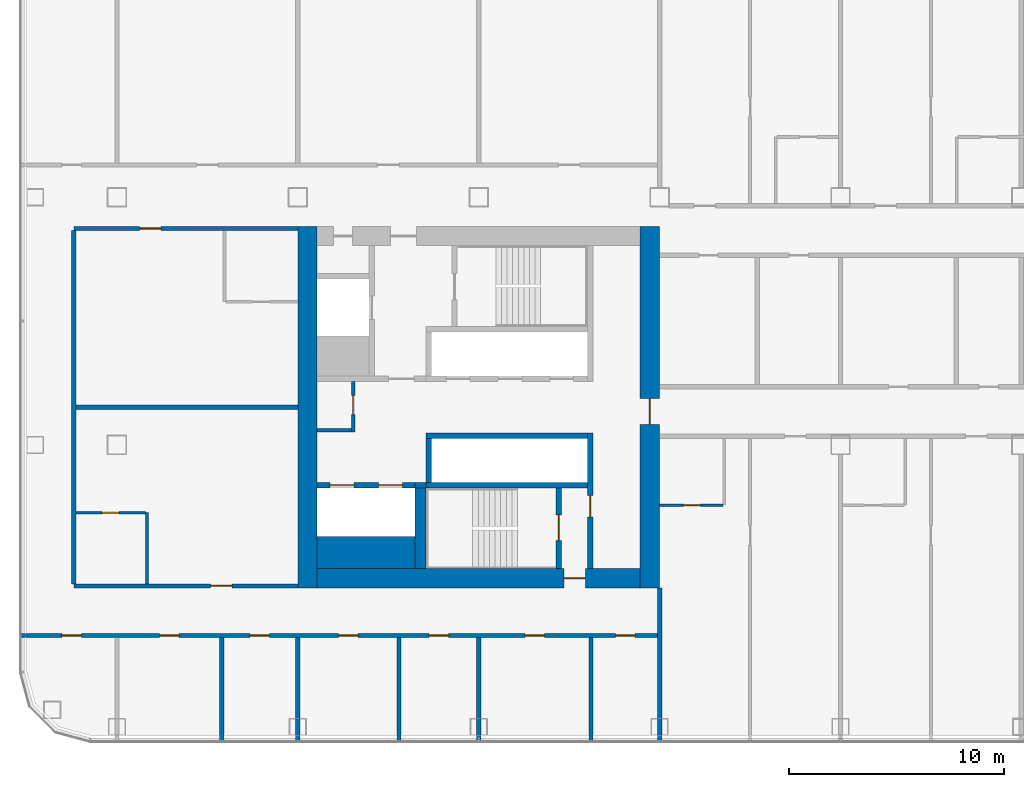
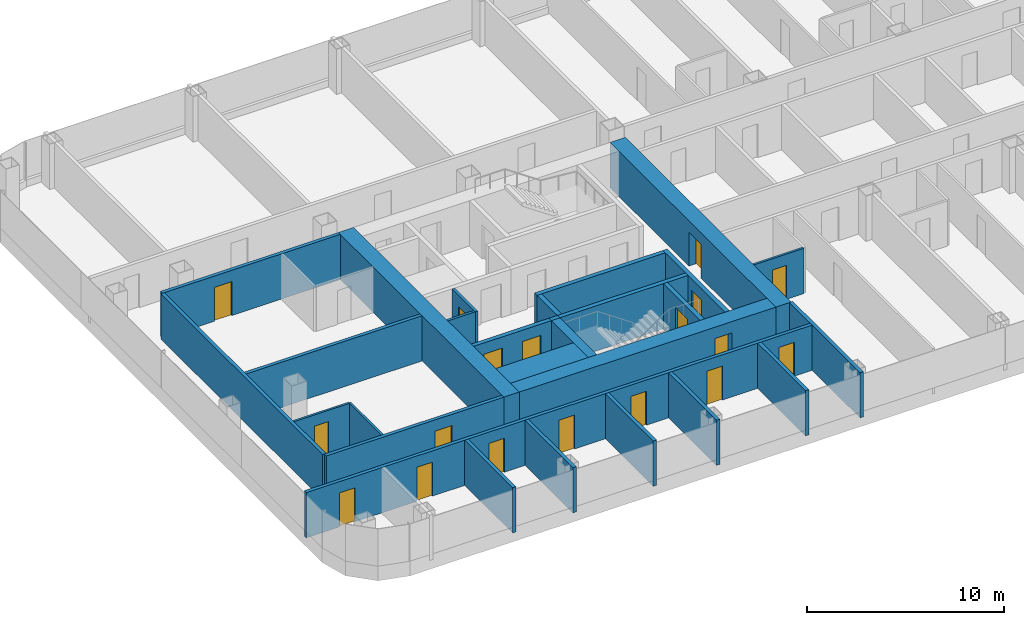
# One storey, part 15 of 29: 28 walls, 18 doors, 18 openings.
"""IFC4 building model written with IfcOpenShell, lengths in metres."""

from ifc_helpers import new_model, si_unit, direction, frame, frame_2d, origin, place, context, subcontext, project, spatial, rectangle, extrude, material, layer, layer_set, type_object, element, fill, save


model = new_model("IFC4")

# Units and contexts
model_context = context("Model", 3, precision=1e-05, world=origin(), true_north=direction((0.0, 1.0)))
body_context = subcontext(model_context, "Body", "Model", "MODEL_VIEW")
ifc_project = project(units=[si_unit("LENGTHUNIT", "METRE"), si_unit("AREAUNIT", "SQUARE_METRE"), si_unit("VOLUMEUNIT", "CUBIC_METRE"), si_unit("PLANEANGLEUNIT", "RADIAN"), si_unit("MASSUNIT", "GRAM", prefix="KILO")], contexts=[model_context])

# Site, building, storey
site_placement = place(None, origin())
site = spatial("IfcSite", under=ifc_project, at=site_placement, CompositionType="ELEMENT")
building_placement = place(site_placement, origin())
building = spatial("IfcBuilding", under=site, at=building_placement, Name="Hakoniwa Tower and Hamabe Station Hall", CompositionType="ELEMENT")
storey_placement = place(building_placement, frame((0.0, 0.0, 88.199951171875)))
storey = spatial("IfcBuildingStorey", under=building, at=storey_placement, Name="L24", CompositionType="ELEMENT", Elevation=88.199951171875)

# Wall, opening, door
ifc_material_1 = material(Name="Gypsum board partition", Category="gypsum")
ifc_layer_1 = layer(ifc_material_1, 0.125)
ifc_layer_set_1 = layer_set([ifc_layer_1], Name="Bathroom Partition 125")
wall_type_1 = type_object("IfcWallType", Name="Bathroom Partition 125", PredefinedType="PARTITIONING", material=ifc_layer_set_1)
wall_1_placement = place(storey_placement, frame((-43.89990234375, -4.89990234375, 0.0), z_axis=(0.0, 0.0, 1.0), x_axis=(1.0, 0.0, 0.0)))
wall_1 = element("IfcWall", 1, at=wall_1_placement, inside=storey, type_object=wall_type_1, Name="GW-L24-006", PredefinedType="PARTITIONING", context=body_context, shape_type="SweptSolid", body=[
    extrude(rectangle(XDim=3.2373046875, YDim=0.125, at=frame_2d((1.61865234375, 0.0))), origin(), (0.0, 0.0, 1.0), 2.800048828125),
])
opening_1_placement = place(wall_1_placement, frame((1.199951171875, 0.0, 0.0)))
opening_1 = element("IfcOpeningElement", 2, at=opening_1_placement, cuts=wall_1, Name="Opening GD-G2E0-18", PredefinedType="OPENING", context=body_context, shape_type="SweptSolid", body=[
    extrude(rectangle(XDim=0.800048828125, YDim=2.10009765625, at=frame_2d((0.39990234375, 1.050048828125))), frame((0.0, 0.072509765625, 0.0), z_axis=(0.0, -1.0, 0.0), x_axis=(1.0, 0.0, 0.0)), (0.0, 0.0, 1.0), 0.14501953125),
])
ifc_material_2 = material(Name="Timber door leaf", Category="wood")
door_type_1 = type_object("IfcDoorType", Name="Bathroom Door 800", OperationType="SINGLE_SWING_LEFT", PredefinedType="DOOR", material=ifc_material_2)
door_1_placement = place(opening_1_placement, origin())
door_1 = element("IfcDoor", 3, at=door_1_placement, inside=storey, type_object=door_type_1, Name="Door GD-G2E0-18", OperationType="SINGLE_SWING_LEFT", OverallHeight=2.10009765625, OverallWidth=0.800048828125, PredefinedType="DOOR", context=body_context, shape_type="SweptSolid", body=[
    extrude(rectangle(XDim=0.800048828125, YDim=2.10009765625, at=frame_2d((0.39990234375, 1.050048828125))), frame((0.0, 0.02490234375, 0.0), z_axis=(0.0, -1.0, 0.0), x_axis=(1.0, 0.0, 0.0)), (0.0, 0.0, 1.0), 0.050048828125),
])
fill(opening_1, door_1)

wall_2_placement = place(storey_placement, frame((-16.81005859375, -4.550048828125, 0.0), z_axis=(0.0, 0.0, 1.0), x_axis=(1.0, 0.0, 0.0)))
wall_2 = element("IfcWall", 4, at=wall_2_placement, inside=storey, type_object=wall_type_1, Name="GW-L24-007", PredefinedType="PARTITIONING", context=body_context, shape_type="SweptSolid", body=[
    extrude(rectangle(XDim=2.947509765625, YDim=0.125, at=frame_2d((1.4736328125, 0.0))), origin(), (0.0, 0.0, 1.0), 2.800048828125),
])
opening_2_placement = place(wall_2_placement, frame((1.110107421875, 0.0, 0.0)))
opening_2 = element("IfcOpeningElement", 5, at=opening_2_placement, cuts=wall_2, Name="Opening GD-G2E0-19", PredefinedType="OPENING", context=body_context, shape_type="SweptSolid", body=[
    extrude(rectangle(XDim=0.800048828125, YDim=2.10009765625, at=frame_2d((0.39990234375, 1.050048828125))), frame((0.0, 0.072509765625, 0.0), z_axis=(0.0, -1.0, 0.0), x_axis=(1.0, 0.0, 0.0)), (0.0, 0.0, 1.0), 0.14501953125),
])
door_2_placement = place(opening_2_placement, origin())
door_2 = element("IfcDoor", 6, at=door_2_placement, inside=storey, type_object=door_type_1, Name="Door GD-G2E0-19", OperationType="SINGLE_SWING_LEFT", OverallHeight=2.10009765625, OverallWidth=0.800048828125, PredefinedType="DOOR", context=body_context, shape_type="SweptSolid", body=[
    extrude(rectangle(XDim=0.800048828125, YDim=2.10009765625, at=frame_2d((0.39990234375, 1.050048828125))), frame((0.0, 0.02490234375, 0.0), z_axis=(0.0, -1.0, 0.0), x_axis=(1.0, 0.0, 0.0)), (0.0, 0.0, 1.0), 0.050048828125),
])
fill(opening_2, door_2)

# Wall
wall_3_placement = place(storey_placement, frame((-40.60009765625, -8.199951171875, 0.0), z_axis=(0.0, 0.0, 1.0), x_axis=(0.0, 1.0, 0.0)))
element("IfcWall", 7, at=wall_3_placement, inside=storey, type_object=wall_type_1, Name="GW-L24-032", PredefinedType="PARTITIONING", context=body_context, shape_type="SweptSolid", body=[
    extrude(rectangle(XDim=3.300048828125, YDim=0.125, at=frame_2d((1.64990234375, 0.0))), origin(), (0.0, 0.0, 1.0), 2.800048828125),
])

# Wall, opening, door
ifc_material_3 = material(Name="Gypsum board partition")
ifc_layer_2 = layer(ifc_material_3, 0.14990234375)
ifc_layer_set_2 = layer_set([ifc_layer_2], Name="CORE PARTITION 150 EI 60")
wall_type_2 = type_object("IfcWallType", Name="CORE PARTITION 150 EI 60", PredefinedType="PARTITIONING", material=ifc_layer_set_2)
wall_4_placement = place(storey_placement, frame((-31.02490234375, -1.14990234375, 0.0), z_axis=(0.0, 0.0, 1.0), x_axis=(0.0, 1.0, 0.0)))
wall_4 = element("IfcWall", 8, at=wall_4_placement, inside=storey, type_object=wall_type_2, Name="Core partition PW0 west", PredefinedType="PARTITIONING", context=body_context, shape_type="SweptSolid", body=[
    extrude(rectangle(XDim=2.349853515625, YDim=0.14990234375, at=frame_2d((1.1748046875, 0.0))), origin(), (0.0, 0.0, 1.0), 2.800048828125),
])
opening_3_placement = place(wall_4_placement, frame((0.800048828125, 0.0, 0.0)))
opening_3 = element("IfcOpeningElement", 9, at=opening_3_placement, cuts=wall_4, Name="Opening CD-W-RM1-9", PredefinedType="OPENING", context=body_context, shape_type="SweptSolid", body=[
    extrude(rectangle(XDim=0.89990234375, YDim=2.10009765625, at=frame_2d((0.449951171875, 1.050048828125))), frame((0.0, 0.0849609375, 0.0), z_axis=(0.0, -1.0, 0.0), x_axis=(1.0, 0.0, 0.0)), (0.0, 0.0, 1.0), 0.169921875),
])
ifc_material_4 = material(Name="Steel fire door", Category="steel")
door_type_2 = type_object("IfcDoorType", Name="CORE DOOR 900 FD30", OperationType="NOTDEFINED", PredefinedType="DOOR", material=ifc_material_4)
door_3_placement = place(opening_3_placement, origin())
door_3 = element("IfcDoor", 10, at=door_3_placement, inside=storey, type_object=door_type_2, Name="Store room door", OperationType="SINGLE_SWING_RIGHT", OverallHeight=2.10009765625, OverallWidth=0.89990234375, PredefinedType="DOOR", context=body_context, shape_type="SweptSolid", body=[
    extrude(rectangle(XDim=0.89990234375, YDim=2.10009765625, at=frame_2d((0.449951171875, 1.050048828125))), frame((0.0, 0.02490234375, 0.0), z_axis=(0.0, -1.0, 0.0), x_axis=(1.0, 0.0, 0.0)), (0.0, 0.0, 1.0), 0.050048828125),
])
fill(opening_3, door_3)

# Wall
wall_5_placement = place(storey_placement, frame((-32.699951171875, -1.074951171875, 0.0), z_axis=(0.0, 0.0, 1.0), x_axis=(1.0, 0.0, 0.0)))
element("IfcWall", 11, at=wall_5_placement, inside=storey, type_object=wall_type_2, Name="Core partition PS west", PredefinedType="PARTITIONING", context=body_context, shape_type="SweptSolid", body=[
    extrude(rectangle(XDim=1.599853515625, YDim=0.14990234375, at=frame_2d((0.7998046875, 0.0))), origin(), (0.0, 0.0, 1.0), 2.800048828125),
])

# Wall, opening, door
ifc_material_5 = material(Name="Concrete C72", Category="concrete")
ifc_layer_3 = layer(ifc_material_5, 0.89990234375)
ifc_layer_set_3 = layer_set([ifc_layer_3], Name="CORE WALL 900 C72")
wall_type_3 = type_object("IfcWallType", Name="CORE WALL 900 C72", PredefinedType="SHEAR", material=ifc_layer_set_3)
wall_6_placement = place(storey_placement, frame((-17.25, -8.39990234375, 0.0), z_axis=(0.0, 0.0, 1.0), x_axis=(0.0, 1.0, 0.0)))
wall_6 = element("IfcWall", 12, at=wall_6_placement, inside=storey, type_object=wall_type_3, Name="Core wall INNER west", PredefinedType="SHEAR", context=body_context, shape_type="SweptSolid", body=[
    extrude(rectangle(XDim=16.7998046875, YDim=0.89990234375, at=frame_2d((8.39990234375, 0.0))), origin(), (0.0, 0.0, 1.0), 2.800048828125),
])
opening_4_placement = place(wall_6_placement, frame((7.60009765625, 0.0, 0.0)))
opening_4 = element("IfcOpeningElement", 13, at=opening_4_placement, cuts=wall_6, Name="Opening CD-W-IN1-12", PredefinedType="OPENING", context=body_context, shape_type="SweptSolid", body=[
    extrude(rectangle(XDim=1.199951171875, YDim=2.10009765625, at=frame_2d((0.60009765625, 1.050048828125))), frame((0.0, 0.4599609375, 0.0), z_axis=(0.0, -1.0, 0.0), x_axis=(1.0, 0.0, 0.0)), (0.0, 0.0, 1.0), 0.919921875),
])
ifc_material_6 = material(Name="Steel fire door", Category="steel")
door_type_3 = type_object("IfcDoorType", Name="CORE DOOR 1200 FD60", OperationType="DOUBLE_DOOR_SINGLE_SWING", PredefinedType="DOOR", material=ifc_material_6)
door_4_placement = place(opening_4_placement, origin())
door_4 = element("IfcDoor", 14, at=door_4_placement, inside=storey, type_object=door_type_3, Name="Lift lobby door", OperationType="DOUBLE_DOOR_SINGLE_SWING", OverallHeight=2.10009765625, OverallWidth=1.199951171875, PredefinedType="DOOR", context=body_context, shape_type="SweptSolid", body=[
    extrude(rectangle(XDim=1.199951171875, YDim=2.10009765625, at=frame_2d((0.60009765625, 1.050048828125))), frame((0.0, 0.02490234375, 0.0), z_axis=(0.0, -1.0, 0.0), x_axis=(1.0, 0.0, 0.0)), (0.0, 0.0, 1.0), 0.050048828125),
])
fill(opening_4, door_4)

# Wall
wall_7_placement = place(storey_placement, frame((-33.14990234375, -8.39990234375, 0.0), z_axis=(0.0, 0.0, 1.0), x_axis=(0.0, 1.0, 0.0)))
element("IfcWall", 15, at=wall_7_placement, inside=storey, type_object=wall_type_3, Name="Core wall OUTER west", PredefinedType="SHEAR", context=body_context, shape_type="SweptSolid", body=[
    extrude(rectangle(XDim=16.7998046875, YDim=0.89990234375, at=frame_2d((8.39990234375, 0.0))), origin(), (0.0, 0.0, 1.0), 2.800048828125),
])

# Wall, opening, door
wall_8_placement = place(storey_placement, frame((-32.699951171875, -7.949951171875, 0.0), z_axis=(0.0, 0.0, 1.0), x_axis=(1.0, 0.0, 0.0)))
wall_8 = element("IfcWall", 16, at=wall_8_placement, inside=storey, type_object=wall_type_3, Name="Core wall SOUTH west", PredefinedType="SHEAR", context=body_context, shape_type="SweptSolid", body=[
    extrude(rectangle(XDim=15.0, YDim=0.89990234375, at=frame_2d((7.5, 0.0))), origin(), (0.0, 0.0, 1.0), 2.800048828125),
])
opening_5_placement = place(wall_8_placement, frame((11.449951171875, 0.0, 0.0)))
opening_5 = element("IfcOpeningElement", 17, at=opening_5_placement, cuts=wall_8, Name="Opening CD-W-FS3-10", PredefinedType="OPENING", context=body_context, shape_type="SweptSolid", body=[
    extrude(rectangle(XDim=1.0, YDim=2.10009765625, at=frame_2d((0.5, 1.050048828125))), frame((0.0, 0.4599609375, 0.0), z_axis=(0.0, -1.0, 0.0), x_axis=(1.0, 0.0, 0.0)), (0.0, 0.0, 1.0), 0.919921875),
])
ifc_material_7 = material(Name="Steel fire door", Category="steel")
door_type_4 = type_object("IfcDoorType", Name="CORE DOOR 1000 FD60", OperationType="NOTDEFINED", PredefinedType="DOOR", material=ifc_material_7)
door_5_placement = place(opening_5_placement, origin())
door_5 = element("IfcDoor", 18, at=door_5_placement, inside=storey, type_object=door_type_4, Name="Stair vestibule door", OperationType="SINGLE_SWING_RIGHT", OverallHeight=2.10009765625, OverallWidth=1.0, PredefinedType="DOOR", context=body_context, shape_type="SweptSolid", body=[
    extrude(rectangle(XDim=1.0, YDim=2.10009765625, at=frame_2d((0.5, 1.050048828125))), frame((0.0, 0.02490234375, 0.0), z_axis=(0.0, -1.0, 0.0), x_axis=(1.0, 0.0, 0.0)), (0.0, 0.0, 1.0), 0.050048828125),
])
fill(opening_5, door_5)

# Wall
ifc_material_8 = material(Name="Concrete C72", Category="concrete")
ifc_layer_4 = layer(ifc_material_8, 1.5)
ifc_layer_set_4 = layer_set([ifc_layer_4], Name="CORE WEB WALL 1500 C72")
wall_type_4 = type_object("IfcWallType", Name="CORE WEB WALL 1500 C72", PredefinedType="SHEAR", material=ifc_layer_set_4)
wall_9_placement = place(storey_placement, frame((-32.699951171875, -6.75, 0.0), z_axis=(0.0, 0.0, 1.0), x_axis=(1.0, 0.0, 0.0)))
element("IfcWall", 19, at=wall_9_placement, inside=storey, type_object=wall_type_4, Name="Core wall SER west", PredefinedType="SHEAR", context=body_context, shape_type="SweptSolid", body=[
    extrude(rectangle(XDim=4.550048828125, YDim=1.5, at=frame_2d((2.27490234375, 0.0))), origin(), (0.0, 0.0, 1.0), 2.800048828125),
])

# Wall, opening, door
ifc_material_9 = material(Name="Concrete C72", Category="concrete")
ifc_layer_5 = layer(ifc_material_9, 0.25)
ifc_layer_set_5 = layer_set([ifc_layer_5], Name="CORE WEB WALL 250 C72")
wall_type_5 = type_object("IfcWallType", Name="CORE WEB WALL 250 C72", PredefinedType="SHEAR", material=ifc_layer_set_5)
wall_10_placement = place(storey_placement, frame((-20.02490234375, -7.5, 0.0), z_axis=(0.0, 0.0, 1.0), x_axis=(0.0, 1.0, 0.0)))
wall_10 = element("IfcWall", 20, at=wall_10_placement, inside=storey, type_object=wall_type_5, Name="Core wall W1S west", PredefinedType="SHEAR", context=body_context, shape_type="SweptSolid", body=[
    extrude(rectangle(XDim=6.300048828125, YDim=0.25, at=frame_2d((3.14990234375, 0.0))), origin(), (0.0, 0.0, 1.0), 2.800048828125),
])
opening_6_placement = place(wall_10_placement, frame((2.39990234375, 0.0, 0.0)))
opening_6 = element("IfcOpeningElement", 21, at=opening_6_placement, cuts=wall_10, Name="Opening CD-W-VS-10", PredefinedType="OPENING", context=body_context, shape_type="SweptSolid", body=[
    extrude(rectangle(XDim=1.0, YDim=2.10009765625, at=frame_2d((0.5, 1.050048828125))), frame((0.0, 0.135009765625, 0.0), z_axis=(0.0, -1.0, 0.0), x_axis=(1.0, 0.0, 0.0)), (0.0, 0.0, 1.0), 0.27001953125),
])
door_6_placement = place(opening_6_placement, origin())
door_6 = element("IfcDoor", 22, at=door_6_placement, inside=storey, type_object=door_type_4, Name="Stair vestibule door", OperationType="SINGLE_SWING_LEFT", OverallHeight=2.10009765625, OverallWidth=1.0, PredefinedType="DOOR", context=body_context, shape_type="SweptSolid", body=[
    extrude(rectangle(XDim=1.0, YDim=2.10009765625, at=frame_2d((0.5, 1.050048828125))), frame((0.0, 0.02490234375, 0.0), z_axis=(0.0, -1.0, 0.0), x_axis=(1.0, 0.0, 0.0)), (0.0, 0.0, 1.0), 0.050048828125),
])
fill(opening_6, door_6)

# Walls
wall_11_placement = place(storey_placement, frame((-27.64990234375, -1.324951171875, 0.0), z_axis=(0.0, 0.0, 1.0), x_axis=(1.0, 0.0, 0.0)))
element("IfcWall", 23, at=wall_11_placement, inside=storey, type_object=wall_type_5, Name="Core wall SF west", PredefinedType="SHEAR", context=body_context, shape_type="SweptSolid", body=[
    extrude(rectangle(XDim=7.5, YDim=0.25, at=frame_2d((3.75, 0.0))), origin(), (0.0, 0.0, 1.0), 2.800048828125),
])
wall_12_placement = place(storey_placement, frame((-27.52490234375, -3.5, 0.0), z_axis=(0.0, 0.0, 1.0), x_axis=(0.0, 1.0, 0.0)))
element("IfcWall", 24, at=wall_12_placement, inside=storey, type_object=wall_type_5, Name="Core wall SE west", PredefinedType="SHEAR", context=body_context, shape_type="SweptSolid", body=[
    extrude(rectangle(XDim=2.050048828125, YDim=0.25, at=frame_2d((1.02490234375, 0.0))), origin(), (0.0, 0.0, 1.0), 2.800048828125),
])
wall_13_placement = place(storey_placement, frame((-27.64990234375, -3.625, 0.0), z_axis=(0.0, 0.0, 1.0), x_axis=(1.0, 0.0, 0.0)))
element("IfcWall", 25, at=wall_13_placement, inside=storey, type_object=wall_type_5, Name="Core wall SR west", PredefinedType="SHEAR", context=body_context, shape_type="SweptSolid", body=[
    extrude(rectangle(XDim=7.5, YDim=0.25, at=frame_2d((3.75, 0.0))), origin(), (0.0, 0.0, 1.0), 2.800048828125),
])

# Wall, opening, door
wall_14_placement = place(storey_placement, frame((-21.47509765625, -7.5, 0.0), z_axis=(0.0, 0.0, 1.0), x_axis=(0.0, 1.0, 0.0)))
wall_14 = element("IfcWall", 26, at=wall_14_placement, inside=storey, type_object=wall_type_5, Name="Core wall VE west", PredefinedType="SHEAR", context=body_context, shape_type="SweptSolid", body=[
    extrude(rectangle(XDim=3.75, YDim=0.25, at=frame_2d((1.875, 0.0))), origin(), (0.0, 0.0, 1.0), 2.800048828125),
])
opening_7_placement = place(wall_14_placement, frame((1.300048828125, 0.0, 0.0)))
opening_7 = element("IfcOpeningElement", 27, at=opening_7_placement, cuts=wall_14, Name="Opening CD-W-SS-12", PredefinedType="OPENING", context=body_context, shape_type="SweptSolid", body=[
    extrude(rectangle(XDim=1.199951171875, YDim=2.10009765625, at=frame_2d((0.60009765625, 1.050048828125))), frame((0.0, 0.135009765625, 0.0), z_axis=(0.0, -1.0, 0.0), x_axis=(1.0, 0.0, 0.0)), (0.0, 0.0, 1.0), 0.27001953125),
])
door_7_placement = place(opening_7_placement, origin())
door_7 = element("IfcDoor", 28, at=door_7_placement, inside=storey, type_object=door_type_3, Name="Escape stair door", OperationType="DOUBLE_DOOR_SINGLE_SWING", OverallHeight=2.10009765625, OverallWidth=1.199951171875, PredefinedType="DOOR", context=body_context, shape_type="SweptSolid", body=[
    extrude(rectangle(XDim=1.199951171875, YDim=2.10009765625, at=frame_2d((0.60009765625, 1.050048828125))), frame((0.0, 0.02490234375, 0.0), z_axis=(0.0, -1.0, 0.0), x_axis=(1.0, 0.0, 0.0)), (0.0, 0.0, 1.0), 0.050048828125),
])
fill(opening_7, door_7)

# Wall, openings, doors
wall_15_placement = place(storey_placement, frame((-32.699951171875, -3.625, 0.0), z_axis=(0.0, 0.0, 1.0), x_axis=(1.0, 0.0, 0.0)))
wall_15 = element("IfcWall", 29, at=wall_15_placement, inside=storey, type_object=wall_type_5, Name="Core wall SEF west", PredefinedType="SHEAR", context=body_context, shape_type="SweptSolid", body=[
    extrude(rectangle(XDim=4.550048828125, YDim=0.25, at=frame_2d((2.27490234375, 0.0))), origin(), (0.0, 0.0, 1.0), 2.800048828125),
])
opening_8_placement = place(wall_15_placement, frame((2.85009765625, 0.0, 0.0)))
opening_8 = element("IfcOpeningElement", 30, at=opening_8_placement, cuts=wall_15, Name="Opening LD-SV1", PredefinedType="OPENING", context=body_context, shape_type="SweptSolid", body=[
    extrude(rectangle(XDim=1.10009765625, YDim=2.10009765625, at=frame_2d((0.550048828125, 1.050048828125))), frame((0.0, 0.135009765625, 0.0), z_axis=(0.0, -1.0, 0.0), x_axis=(1.0, 0.0, 0.0)), (0.0, 0.0, 1.0), 0.27001953125),
])
opening_9_placement = place(wall_15_placement, frame((0.60009765625, 0.0, 0.0)))
opening_9 = element("IfcOpeningElement", 31, at=opening_9_placement, cuts=wall_15, Name="Opening LD-SV2", PredefinedType="OPENING", context=body_context, shape_type="SweptSolid", body=[
    extrude(rectangle(XDim=1.10009765625, YDim=2.10009765625, at=frame_2d((0.550048828125, 1.050048828125))), frame((0.0, 0.135009765625, 0.0), z_axis=(0.0, -1.0, 0.0), x_axis=(1.0, 0.0, 0.0)), (0.0, 0.0, 1.0), 0.27001953125),
])
ifc_material_10 = material(Name="Stainless steel SUS304", Category="steel")
door_type_5 = type_object("IfcDoorType", Name="LIFT LANDING DOOR 1100 FD60", OperationType="DOUBLE_DOOR_SLIDING", PredefinedType="DOOR", material=ifc_material_10)
door_8_placement = place(opening_8_placement, origin())
door_8 = element("IfcDoor", 32, at=door_8_placement, inside=storey, type_object=door_type_5, Name="Lift landing door SV1 L24", OperationType="DOUBLE_DOOR_SLIDING", OverallHeight=2.10009765625, OverallWidth=1.10009765625, PredefinedType="DOOR", context=body_context, shape_type="SweptSolid", body=[
    extrude(rectangle(XDim=1.10009765625, YDim=2.10009765625, at=frame_2d((0.550048828125, 1.050048828125))), frame((0.0, 0.02490234375, 0.0), z_axis=(0.0, -1.0, 0.0), x_axis=(1.0, 0.0, 0.0)), (0.0, 0.0, 1.0), 0.050048828125),
])
fill(opening_8, door_8)
door_9_placement = place(opening_9_placement, origin())
door_9 = element("IfcDoor", 33, at=door_9_placement, inside=storey, type_object=door_type_5, Name="Lift landing door SV2 L24", OperationType="DOUBLE_DOOR_SLIDING", OverallHeight=2.10009765625, OverallWidth=1.10009765625, PredefinedType="DOOR", context=body_context, shape_type="SweptSolid", body=[
    extrude(rectangle(XDim=1.10009765625, YDim=2.10009765625, at=frame_2d((0.550048828125, 1.050048828125))), frame((0.0, 0.02490234375, 0.0), z_axis=(0.0, -1.0, 0.0), x_axis=(1.0, 0.0, 0.0)), (0.0, 0.0, 1.0), 0.050048828125),
])
fill(opening_9, door_9)

# Walls
wall_16_placement = place(storey_placement, frame((-28.14990234375, -3.625, 0.0), z_axis=(0.0, 0.0, 1.0), x_axis=(1.0, 0.0, 0.0)))
element("IfcWall", 34, at=wall_16_placement, inside=storey, type_object=wall_type_5, Name="Core wall SRK west", PredefinedType="SHEAR", context=body_context, shape_type="SweptSolid", body=[
    extrude(rectangle(XDim=0.5, YDim=0.25, at=frame_2d((0.25, 0.0))), origin(), (0.0, 0.0, 1.0), 2.800048828125),
])
ifc_material_11 = material(Name="Concrete C72", Category="concrete")
ifc_layer_6 = layer(ifc_material_11, 0.5)
ifc_layer_set_6 = layer_set([ifc_layer_6], Name="CORE WEB WALL 500 C72")
wall_type_6 = type_object("IfcWallType", Name="CORE WEB WALL 500 C72", PredefinedType="SHEAR", material=ifc_layer_set_6)
wall_17_placement = place(storey_placement, frame((-27.89990234375, -7.5, 0.0), z_axis=(0.0, 0.0, 1.0), x_axis=(0.0, 1.0, 0.0)))
element("IfcWall", 35, at=wall_17_placement, inside=storey, type_object=wall_type_6, Name="Core wall SSE west", PredefinedType="SHEAR", context=body_context, shape_type="SweptSolid", body=[
    extrude(rectangle(XDim=3.75, YDim=0.5, at=frame_2d((1.875, 0.0))), origin(), (0.0, 0.0, 1.0), 2.800048828125),
])

# Wall, openings, doors
ifc_material_12 = material(Name="Fire-rated gypsum board partition", Category="gypsum")
ifc_layer_7 = layer(ifc_material_12, 0.199951171875)
ifc_layer_set_7 = layer_set([ifc_layer_7], Name="Corridor Wall 200")
wall_type_7 = type_object("IfcWallType", Name="Corridor Wall 200", PredefinedType="PARTITIONING", material=ifc_layer_set_7)
wall_18_placement = place(storey_placement, frame((-46.5, -10.60009765625, 0.0), z_axis=(0.0, 0.0, 1.0), x_axis=(1.0, 0.0, 0.0)))
wall_18 = element("IfcWall", 36, at=wall_18_placement, inside=storey, type_object=wall_type_7, Name="GW-L24-001", PredefinedType="PARTITIONING", context=body_context, shape_type="SweptSolid", body=[
    extrude(rectangle(XDim=29.699951171875, YDim=0.199951171875, at=frame_2d((14.85009765625, 0.0))), origin(), (0.0, 0.0, 1.0), 2.800048828125),
])
opening_10_placement = place(wall_18_placement, frame((1.949951171875, 0.0, 0.0)))
opening_10 = element("IfcOpeningElement", 37, at=opening_10_placement, cuts=wall_18, Name="Opening GD-G2E0-01", PredefinedType="OPENING", context=body_context, shape_type="SweptSolid", body=[
    extrude(rectangle(XDim=0.89990234375, YDim=2.10009765625, at=frame_2d((0.449951171875, 1.050048828125))), frame((0.0, 0.10986328125, 0.0), z_axis=(0.0, -1.0, 0.0), x_axis=(1.0, 0.0, 0.0)), (0.0, 0.0, 1.0), 0.219970703125),
])
opening_11_placement = place(wall_18_placement, frame((6.485107421875, 0.0, 0.0)))
opening_11 = element("IfcOpeningElement", 38, at=opening_11_placement, cuts=wall_18, Name="Opening GD-G2E0-02", PredefinedType="OPENING", context=body_context, shape_type="SweptSolid", body=[
    extrude(rectangle(XDim=0.89990234375, YDim=2.10009765625, at=frame_2d((0.449951171875, 1.050048828125))), frame((0.0, 0.10986328125, 0.0), z_axis=(0.0, -1.0, 0.0), x_axis=(1.0, 0.0, 0.0)), (0.0, 0.0, 1.0), 0.219970703125),
])
opening_12_placement = place(wall_18_placement, frame((10.68505859375, 0.0, 0.0)))
opening_12 = element("IfcOpeningElement", 39, at=opening_12_placement, cuts=wall_18, Name="Opening GD-G2E0-03", PredefinedType="OPENING", context=body_context, shape_type="SweptSolid", body=[
    extrude(rectangle(XDim=0.89990234375, YDim=2.10009765625, at=frame_2d((0.449951171875, 1.050048828125))), frame((0.0, 0.10986328125, 0.0), z_axis=(0.0, -1.0, 0.0), x_axis=(1.0, 0.0, 0.0)), (0.0, 0.0, 1.0), 0.219970703125),
])
opening_13_placement = place(wall_18_placement, frame((14.800048828125, 0.0, 0.0)))
opening_13 = element("IfcOpeningElement", 40, at=opening_13_placement, cuts=wall_18, Name="Opening GD-G2E0-04", PredefinedType="OPENING", context=body_context, shape_type="SweptSolid", body=[
    extrude(rectangle(XDim=0.89990234375, YDim=2.10009765625, at=frame_2d((0.449951171875, 1.050048828125))), frame((0.0, 0.10986328125, 0.0), z_axis=(0.0, -1.0, 0.0), x_axis=(1.0, 0.0, 0.0)), (0.0, 0.0, 1.0), 0.219970703125),
])
opening_14_placement = place(wall_18_placement, frame((19.0, 0.0, 0.0)))
opening_14 = element("IfcOpeningElement", 41, at=opening_14_placement, cuts=wall_18, Name="Opening GD-G2E0-05", PredefinedType="OPENING", context=body_context, shape_type="SweptSolid", body=[
    extrude(rectangle(XDim=0.89990234375, YDim=2.10009765625, at=frame_2d((0.449951171875, 1.050048828125))), frame((0.0, 0.10986328125, 0.0), z_axis=(0.0, -1.0, 0.0), x_axis=(1.0, 0.0, 0.0)), (0.0, 0.0, 1.0), 0.219970703125),
])
opening_15_placement = place(wall_18_placement, frame((23.455078125, 0.0, 0.0)))
opening_15 = element("IfcOpeningElement", 42, at=opening_15_placement, cuts=wall_18, Name="Opening GD-G2E0-06", PredefinedType="OPENING", context=body_context, shape_type="SweptSolid", body=[
    extrude(rectangle(XDim=0.89990234375, YDim=2.10009765625, at=frame_2d((0.449951171875, 1.050048828125))), frame((0.0, 0.10986328125, 0.0), z_axis=(0.0, -1.0, 0.0), x_axis=(1.0, 0.0, 0.0)), (0.0, 0.0, 1.0), 0.219970703125),
])
opening_16_placement = place(wall_18_placement, frame((27.655029296875, 0.0, 0.0)))
opening_16 = element("IfcOpeningElement", 43, at=opening_16_placement, cuts=wall_18, Name="Opening GD-G2E0-07", PredefinedType="OPENING", context=body_context, shape_type="SweptSolid", body=[
    extrude(rectangle(XDim=0.89990234375, YDim=2.10009765625, at=frame_2d((0.449951171875, 1.050048828125))), frame((0.0, 0.10986328125, 0.0), z_axis=(0.0, -1.0, 0.0), x_axis=(1.0, 0.0, 0.0)), (0.0, 0.0, 1.0), 0.219970703125),
])
ifc_material_13 = material(Name="Timber door leaf", Category="wood")
door_type_6 = type_object("IfcDoorType", Name="Service Door 900", OperationType="SINGLE_SWING_LEFT", PredefinedType="DOOR", material=ifc_material_13)
door_10_placement = place(opening_10_placement, origin())
door_10 = element("IfcDoor", 44, at=door_10_placement, inside=storey, type_object=door_type_6, Name="Door GD-G2E0-01", OperationType="SINGLE_SWING_RIGHT", OverallHeight=2.10009765625, OverallWidth=0.89990234375, PredefinedType="DOOR", context=body_context, shape_type="SweptSolid", body=[
    extrude(rectangle(XDim=0.89990234375, YDim=2.10009765625, at=frame_2d((0.449951171875, 1.050048828125))), frame((0.0, 0.02490234375, 0.0), z_axis=(0.0, -1.0, 0.0), x_axis=(1.0, 0.0, 0.0)), (0.0, 0.0, 1.0), 0.050048828125),
])
fill(opening_10, door_10)
door_11_placement = place(opening_11_placement, origin())
door_11 = element("IfcDoor", 45, at=door_11_placement, inside=storey, type_object=door_type_6, Name="Door GD-G2E0-02", OperationType="SINGLE_SWING_RIGHT", OverallHeight=2.10009765625, OverallWidth=0.89990234375, PredefinedType="DOOR", context=body_context, shape_type="SweptSolid", body=[
    extrude(rectangle(XDim=0.89990234375, YDim=2.10009765625, at=frame_2d((0.449951171875, 1.050048828125))), frame((0.0, 0.02490234375, 0.0), z_axis=(0.0, -1.0, 0.0), x_axis=(1.0, 0.0, 0.0)), (0.0, 0.0, 1.0), 0.050048828125),
])
fill(opening_11, door_11)
door_12_placement = place(opening_12_placement, origin())
door_12 = element("IfcDoor", 46, at=door_12_placement, inside=storey, type_object=door_type_6, Name="Door GD-G2E0-03", OperationType="SINGLE_SWING_LEFT", OverallHeight=2.10009765625, OverallWidth=0.89990234375, PredefinedType="DOOR", context=body_context, shape_type="SweptSolid", body=[
    extrude(rectangle(XDim=0.89990234375, YDim=2.10009765625, at=frame_2d((0.449951171875, 1.050048828125))), frame((0.0, 0.02490234375, 0.0), z_axis=(0.0, -1.0, 0.0), x_axis=(1.0, 0.0, 0.0)), (0.0, 0.0, 1.0), 0.050048828125),
])
fill(opening_12, door_12)
door_13_placement = place(opening_13_placement, origin())
door_13 = element("IfcDoor", 47, at=door_13_placement, inside=storey, type_object=door_type_6, Name="Door GD-G2E0-04", OperationType="SINGLE_SWING_RIGHT", OverallHeight=2.10009765625, OverallWidth=0.89990234375, PredefinedType="DOOR", context=body_context, shape_type="SweptSolid", body=[
    extrude(rectangle(XDim=0.89990234375, YDim=2.10009765625, at=frame_2d((0.449951171875, 1.050048828125))), frame((0.0, 0.02490234375, 0.0), z_axis=(0.0, -1.0, 0.0), x_axis=(1.0, 0.0, 0.0)), (0.0, 0.0, 1.0), 0.050048828125),
])
fill(opening_13, door_13)
door_14_placement = place(opening_14_placement, origin())
door_14 = element("IfcDoor", 48, at=door_14_placement, inside=storey, type_object=door_type_6, Name="Door GD-G2E0-05", OperationType="SINGLE_SWING_LEFT", OverallHeight=2.10009765625, OverallWidth=0.89990234375, PredefinedType="DOOR", context=body_context, shape_type="SweptSolid", body=[
    extrude(rectangle(XDim=0.89990234375, YDim=2.10009765625, at=frame_2d((0.449951171875, 1.050048828125))), frame((0.0, 0.02490234375, 0.0), z_axis=(0.0, -1.0, 0.0), x_axis=(1.0, 0.0, 0.0)), (0.0, 0.0, 1.0), 0.050048828125),
])
fill(opening_14, door_14)
door_15_placement = place(opening_15_placement, origin())
door_15 = element("IfcDoor", 49, at=door_15_placement, inside=storey, type_object=door_type_6, Name="Door GD-G2E0-06", OperationType="SINGLE_SWING_RIGHT", OverallHeight=2.10009765625, OverallWidth=0.89990234375, PredefinedType="DOOR", context=body_context, shape_type="SweptSolid", body=[
    extrude(rectangle(XDim=0.89990234375, YDim=2.10009765625, at=frame_2d((0.449951171875, 1.050048828125))), frame((0.0, 0.02490234375, 0.0), z_axis=(0.0, -1.0, 0.0), x_axis=(1.0, 0.0, 0.0)), (0.0, 0.0, 1.0), 0.050048828125),
])
fill(opening_15, door_15)
door_16_placement = place(opening_16_placement, origin())
door_16 = element("IfcDoor", 50, at=door_16_placement, inside=storey, type_object=door_type_6, Name="Door GD-G2E0-07", OperationType="SINGLE_SWING_LEFT", OverallHeight=2.10009765625, OverallWidth=0.89990234375, PredefinedType="DOOR", context=body_context, shape_type="SweptSolid", body=[
    extrude(rectangle(XDim=0.89990234375, YDim=2.10009765625, at=frame_2d((0.449951171875, 1.050048828125))), frame((0.0, 0.02490234375, 0.0), z_axis=(0.0, -1.0, 0.0), x_axis=(1.0, 0.0, 0.0)), (0.0, 0.0, 1.0), 0.050048828125),
])
fill(opening_16, door_16)

# Wall, opening, door
wall_19_placement = place(storey_placement, frame((-44.0, -8.300048828125, 0.0), z_axis=(0.0, 0.0, 1.0), x_axis=(1.0, 0.0, 0.0)))
wall_19 = element("IfcWall", 51, at=wall_19_placement, inside=storey, type_object=wall_type_7, Name="GW-L24-003", PredefinedType="PARTITIONING", context=body_context, shape_type="SweptSolid", body=[
    extrude(rectangle(XDim=10.39990234375, YDim=0.199951171875, at=frame_2d((5.199951171875, 0.0))), origin(), (0.0, 0.0, 1.0), 2.800048828125),
])
opening_17_placement = place(wall_19_placement, frame((6.35009765625, 0.0, 0.0)))
opening_17 = element("IfcOpeningElement", 52, at=opening_17_placement, cuts=wall_19, Name="Opening GD-G2E0-15", PredefinedType="OPENING", context=body_context, shape_type="SweptSolid", body=[
    extrude(rectangle(XDim=1.0, YDim=2.10009765625, at=frame_2d((0.5, 1.050048828125))), frame((0.0, 0.10986328125, 0.0), z_axis=(0.0, -1.0, 0.0), x_axis=(1.0, 0.0, 0.0)), (0.0, 0.0, 1.0), 0.219970703125),
])
ifc_material_14 = material(Name="Timber door leaf", Category="wood")
door_type_7 = type_object("IfcDoorType", Name="Guest Entrance Door 1000", OperationType="SINGLE_SWING_LEFT", PredefinedType="DOOR", material=ifc_material_14)
door_17_placement = place(opening_17_placement, origin())
door_17 = element("IfcDoor", 53, at=door_17_placement, inside=storey, type_object=door_type_7, Name="Door GD-G2E0-15", OperationType="SINGLE_SWING_LEFT", OverallHeight=2.10009765625, OverallWidth=1.0, PredefinedType="DOOR", context=body_context, shape_type="SweptSolid", body=[
    extrude(rectangle(XDim=1.0, YDim=2.10009765625, at=frame_2d((0.5, 1.050048828125))), frame((0.0, 0.02490234375, 0.0), z_axis=(0.0, -1.0, 0.0), x_axis=(1.0, 0.0, 0.0)), (0.0, 0.0, 1.0), 0.050048828125),
])
fill(opening_17, door_17)

wall_20_placement = place(storey_placement, frame((-44.0, 8.300048828125, 0.0), z_axis=(0.0, 0.0, 1.0), x_axis=(1.0, 0.0, 0.0)))
wall_20 = element("IfcWall", 54, at=wall_20_placement, inside=storey, type_object=wall_type_7, Name="GW-L24-018", PredefinedType="PARTITIONING", context=body_context, shape_type="SweptSolid", body=[
    extrude(rectangle(XDim=10.39990234375, YDim=0.199951171875, at=frame_2d((5.199951171875, 0.0))), origin(), (0.0, 0.0, 1.0), 2.800048828125),
])
opening_18_placement = place(wall_20_placement, frame((3.050048828125, 0.0, 0.0)))
opening_18 = element("IfcOpeningElement", 55, at=opening_18_placement, cuts=wall_20, Name="Opening GD-G2E0-37", PredefinedType="OPENING", context=body_context, shape_type="SweptSolid", body=[
    extrude(rectangle(XDim=1.0, YDim=2.10009765625, at=frame_2d((0.5, 1.050048828125))), frame((0.0, 0.10986328125, 0.0), z_axis=(0.0, -1.0, 0.0), x_axis=(1.0, 0.0, 0.0)), (0.0, 0.0, 1.0), 0.219970703125),
])
door_18_placement = place(opening_18_placement, origin())
door_18 = element("IfcDoor", 56, at=door_18_placement, inside=storey, type_object=door_type_7, Name="Door GD-G2E0-37", OperationType="SINGLE_SWING_RIGHT", OverallHeight=2.10009765625, OverallWidth=1.0, PredefinedType="DOOR", context=body_context, shape_type="SweptSolid", body=[
    extrude(rectangle(XDim=1.0, YDim=2.10009765625, at=frame_2d((0.5, 1.050048828125))), frame((0.0, 0.02490234375, 0.0), z_axis=(0.0, -1.0, 0.0), x_axis=(1.0, 0.0, 0.0)), (0.0, 0.0, 1.0), 0.050048828125),
])
fill(opening_18, door_18)

# Walls
ifc_material_15 = material(Name="Fire-rated gypsum board partition", Category="gypsum")
ifc_layer_8 = layer(ifc_material_15, 0.199951171875)
ifc_layer_set_8 = layer_set([ifc_layer_8], Name="Party Wall 200")
wall_type_8 = type_object("IfcWallType", Name="Party Wall 200", PredefinedType="PARTITIONING", material=ifc_layer_set_8)
wall_21_placement = place(storey_placement, frame((-43.89990234375, 0.0, 0.0), z_axis=(0.0, 0.0, 1.0), x_axis=(1.0, 0.0, 0.0)))
element("IfcWall", 57, at=wall_21_placement, inside=storey, type_object=wall_type_8, Name="GW-L24-012", PredefinedType="PARTITIONING", context=body_context, shape_type="SweptSolid", body=[
    extrude(rectangle(XDim=10.2998046875, YDim=0.199951171875, at=frame_2d((5.14990234375, 0.0))), origin(), (0.0, 0.0, 1.0), 2.800048828125),
])
wall_22_placement = place(storey_placement, frame((-44.0, -8.199951171875, 0.0), z_axis=(0.0, 0.0, 1.0), x_axis=(0.0, 1.0, 0.0)))
element("IfcWall", 58, at=wall_22_placement, inside=storey, type_object=wall_type_8, Name="GW-L24-029", PredefinedType="PARTITIONING", context=body_context, shape_type="SweptSolid", body=[
    extrude(rectangle(XDim=16.39990234375, YDim=0.199951171875, at=frame_2d((8.199951171875, 0.0))), origin(), (0.0, 0.0, 1.0), 2.800048828125),
])
for number, where, z_axis, x_axis, name in (
    (59, (-37.1298828125, -15.550048828125, 0.0), (0.0, 0.0, 1.0), (0.0, 1.0, 0.0), "GW-L24-033"),
    (60, (-33.60009765625, -15.550048828125, 0.0), (0.0, 0.0, 1.0), (0.0, 1.0, 0.0), "GW-L24-035"),
    (61, (-28.89990234375, -15.550048828125, 0.0), (0.0, 0.0, 1.0), (0.0, 1.0, 0.0), "GW-L24-037"),
    (62, (-25.199951171875, -15.550048828125, 0.0), (0.0, 0.0, 1.0), (0.0, 1.0, 0.0), "GW-L24-038"),
    (63, (-19.989990234375, -15.550048828125, 0.0), (0.0, 0.0, 1.0), (0.0, 1.0, 0.0), "GW-L24-040"),
):
    element("IfcWall", number, at=place(storey_placement, frame(where, z_axis=z_axis, x_axis=x_axis)), inside=storey, type_object=wall_type_8, Name=name, PredefinedType="PARTITIONING", context=body_context, shape_type="SweptSolid", body=[
        extrude(rectangle(XDim=4.85009765625, YDim=0.199951171875, at=frame_2d((2.425048828125, 0.0))), origin(), (0.0, 0.0, 1.0), 2.800048828125),
    ])
wall_23_placement = place(storey_placement, frame((-16.800048828125, -15.550048828125, 0.0), z_axis=(0.0, 0.0, 1.0), x_axis=(0.0, 1.0, 0.0)))
element("IfcWall", 64, at=wall_23_placement, inside=storey, type_object=wall_type_8, Name="GW-L24-041", PredefinedType="PARTITIONING", context=body_context, shape_type="SweptSolid", body=[
    extrude(rectangle(XDim=7.16015625, YDim=0.199951171875, at=frame_2d((3.580078125, 0.0))), origin(), (0.0, 0.0, 1.0), 2.800048828125),
])

save(model, "model.ifc")
